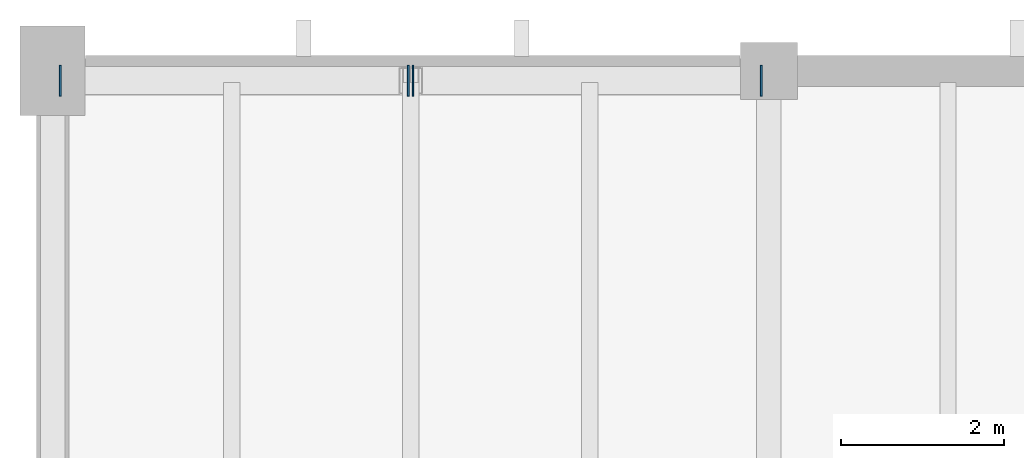
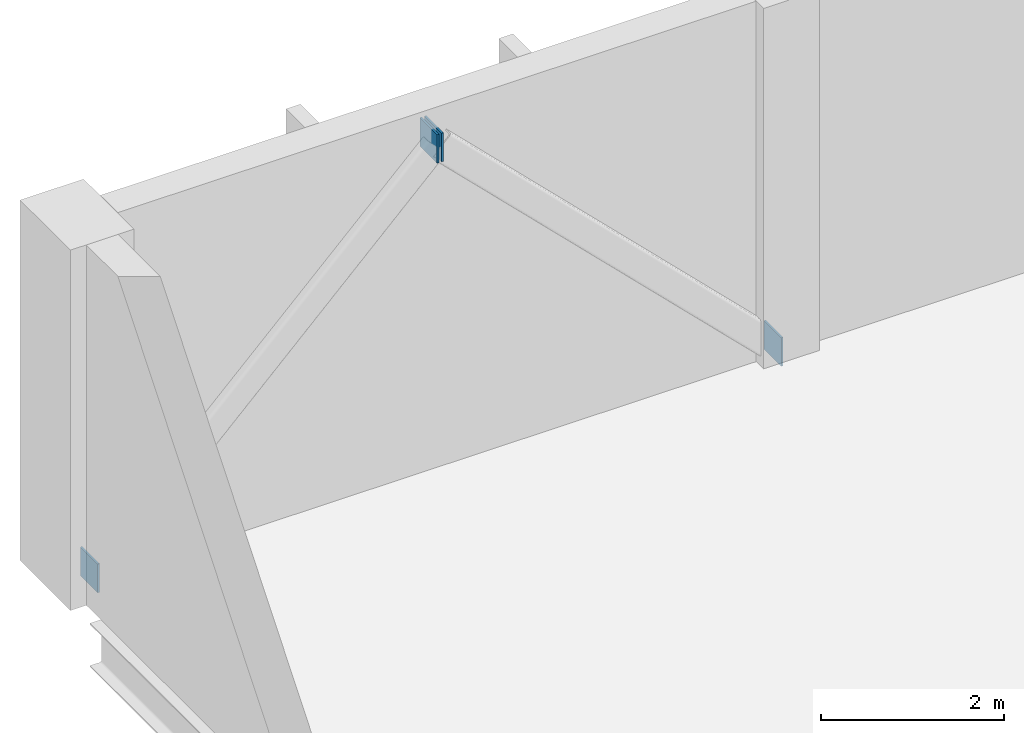
# One storey, part 9 of 14: 4 plates.
"""IFC4 building model written with IfcOpenShell, lengths in metres."""

import ifcopenshell
import ifcopenshell.guid

model = None  # the IFC model being written
_history = None  # IfcOwnerHistory: only IFC2X3 demands one
_inside = {}  # id of a spatial element -> (the spatial element, [elements in it])
_under = {}  # id of a project, library or spatial element -> (it, [spatial elements below it])
_declared = {}  # id of a project -> (the project, [libraries it declares])
_typed = {}  # id of a type object -> (the type object, [elements of that type])
_made_of = {}  # id of a material, layer set ... -> (it, [elements and type objects made of it])


def new_model(schema):
    """Start an empty IFC model of exactly this schema.

    Asked for "IFC4X3", IfcOpenShell would pick the latest addendum, in which some entities
    have other attributes; the version numbers below select the first issue.
    IFC2X3 requires an IfcOwnerHistory on every rooted entity: one is made here for all.
    """
    global model, _history
    if schema == "IFC4X3":
        model = ifcopenshell.file(schema_version=(4, 3, 0, 0))
    else:
        model = ifcopenshell.file(schema=schema)
    _inside.clear()
    _under.clear()
    _declared.clear()
    _typed.clear()
    _made_of.clear()
    _history = None
    if model.schema == "IFC2X3":
        org = make("IfcOrganization", Name="unknown")
        user = make(
            "IfcPersonAndOrganization",
            ThePerson=make("IfcPerson", FamilyName="unknown"),
            TheOrganization=org,
        )
        app = make(
            "IfcApplication",
            ApplicationDeveloper=org,
            Version="unknown",
            ApplicationFullName="unknown",
            ApplicationIdentifier="unknown",
        )
        _history = make(
            "IfcOwnerHistory",
            OwningUser=user,
            OwningApplication=app,
            ChangeAction="ADDED",
            CreationDate=0,
        )
    return model


def make(cls, **values):
    """One entity of the class cls with the attributes given. An attribute that is None is left unset."""
    return model.create_entity(
        cls, **{name: value for name, value in values.items() if value is not None}
    )


def rooted(cls, **values):
    """An entity with a GlobalId (a new one), such as an element, a storey or a relation."""
    return make(cls, GlobalId=ifcopenshell.guid.new(), OwnerHistory=_history, **values)


def si_unit(unit_type, name, prefix=None):
    """IfcSIUnit, for example si_unit("LENGTHUNIT", "METRE", prefix="MILLI")."""
    return make("IfcSIUnit", UnitType=unit_type, Prefix=prefix, Name=name)


def assignment(units):
    """IfcUnitAssignment: the units of a project."""
    return None if units is None else make("IfcUnitAssignment", Units=units)


def point(xyz):
    """IfcCartesianPoint."""
    return None if xyz is None else make("IfcCartesianPoint", Coordinates=xyz)


def direction(xyz):
    """IfcDirection."""
    return None if xyz is None else make("IfcDirection", DirectionRatios=xyz)


def frame(location, z_axis=None, x_axis=None):
    """IfcAxis2Placement3D, a coordinate frame: its origin and axes. An axis left out is left unset."""
    return make(
        "IfcAxis2Placement3D",
        Location=point(location),
        Axis=direction(z_axis),
        RefDirection=direction(x_axis),
    )


def frame_2d(location, x_axis=None):
    """IfcAxis2Placement2D, a coordinate frame in the plane: its origin and x axis."""
    return make(
        "IfcAxis2Placement2D", Location=point(location), RefDirection=direction(x_axis)
    )


def origin():
    """The frame at (0, 0, 0) with its axes left unset."""
    return frame((0.0, 0.0, 0.0))


def origin_2d():
    """The frame at (0, 0) in the plane with its x axis left unset."""
    return frame_2d((0.0, 0.0))


def place(relative_to, where):
    """IfcLocalPlacement: puts the frame where relative to a parent placement (None: the world)."""
    return make(
        "IfcLocalPlacement", PlacementRelTo=relative_to, RelativePlacement=where
    )


def context(
    kind, dimensions, precision=None, world=None, true_north=None, identifier=None
):
    """IfcGeometricRepresentationContext, for example the 3D "Model" context."""
    return make(
        "IfcGeometricRepresentationContext",
        ContextIdentifier=identifier,
        ContextType=kind,
        CoordinateSpaceDimension=dimensions,
        Precision=precision,
        WorldCoordinateSystem=world,
        TrueNorth=true_north,
    )


def subcontext(parent, identifier, kind, view, scale=None):
    """IfcGeometricRepresentationSubContext, for example "Body" below "Model"."""
    return make(
        "IfcGeometricRepresentationSubContext",
        ContextIdentifier=identifier,
        ContextType=kind,
        ParentContext=parent,
        TargetScale=scale,
        TargetView=view,
    )


def project(units=None, contexts=None):
    """IfcProject with its units and contexts."""
    return rooted(
        "IfcProject",
        Name="project",
        RepresentationContexts=contexts,
        UnitsInContext=assignment(units),
    )


def spatial(cls, under=None, at=None, **own):
    """A site, building, storey or space (cls), placed at a placement, below another one or the project."""
    s = rooted(cls, ObjectPlacement=at, **own)
    if under is not None:
        _under.setdefault(under.id(), (under, []))[1].append(s)
    return s


def profile(cls, at=None, kind="AREA", **sizes):
    """A parametric profile (cls). Its sizes go by their IFC names, for example OverallWidth=200.0."""
    return make(cls, ProfileType=kind, Position=at, **sizes)


def rectangle(**sizes):
    """IfcRectangleProfileDef."""
    return profile("IfcRectangleProfileDef", **sizes)


def extrude(swept, where, along, depth):
    """IfcExtrudedAreaSolid: the profile swept, set in the frame where, extruded along a direction by depth."""
    return make(
        "IfcExtrudedAreaSolid",
        SweptArea=swept,
        Position=where,
        ExtrudedDirection=direction(along),
        Depth=depth,
    )


def shape(context_of_items, identifier, shape_type, items):
    """IfcShapeRepresentation: the items that make up one representation, for example the "Body"."""
    return make(
        "IfcShapeRepresentation",
        ContextOfItems=context_of_items,
        RepresentationIdentifier=identifier,
        RepresentationType=shape_type,
        Items=items,
    )


def material(Name=None, Category=None):
    """IfcMaterial."""
    return make("IfcMaterial", Name=Name, Category=Category)


def layer(
    of_material, thickness, ventilated=None, Name=None, Category=None, Priority=None
):
    """IfcMaterialLayer: one layer of a wall or slab, of a material (None: an air gap)."""
    return make(
        "IfcMaterialLayer",
        Material=of_material,
        LayerThickness=thickness,
        IsVentilated=ventilated,
        Name=Name,
        Category=Category,
        Priority=Priority,
    )


def layer_set(layers, Name=None):
    """IfcMaterialLayerSet."""
    return make("IfcMaterialLayerSet", MaterialLayers=layers, LayerSetName=Name)


def made_of(thing, what):
    """Note that an element or type object is made of a material, layer set ...; save() writes the relation."""
    if what is not None:
        _made_of.setdefault(what.id(), (what, []))[1].append(thing)
    return thing


def type_object(cls, material=None, **own):
    """A type object (cls), such as IfcWallType, which elements share."""
    return made_of(rooted(cls, **own), material)


def element(
    cls,
    number,
    at=None,
    inside=None,
    cuts=None,
    type_object=None,
    material=None,
    context=None,
    identifier="Body",
    shape_type=None,
    held_by="IfcProductDefinitionShape",
    body=None,
    shapes=None,
    **own,
):
    """One element of the class cls, such as IfcWall. Its Tag is "e" and its number.

    at: its placement. inside: the storey or other place that contains it. cuts: it is an
    opening in that element (IfcRelVoidsElement). A single representation is given by context,
    identifier, shape_type and body (its items); several are given by shapes. held_by: the class
    of the entity that holds the representations. save() writes the other relations.
    """
    e = rooted(cls, Tag="e%d" % number, ObjectPlacement=at, **own)
    if body is not None:
        shapes = [shape(context, identifier, shape_type, body)]
    if shapes is not None:
        e.Representation = make(held_by, Representations=shapes)
    if inside is not None:
        _inside.setdefault(inside.id(), (inside, []))[1].append(e)
    if cuts is not None:
        rooted(
            "IfcRelVoidsElement", RelatingBuildingElement=cuts, RelatedOpeningElement=e
        )
    if type_object is not None:
        _typed.setdefault(type_object.id(), (type_object, []))[1].append(e)
    return made_of(e, material)


def aggregate(whole, parts):
    """IfcRelAggregates: a whole, such as a stair, and the parts it consists of."""
    return rooted("IfcRelAggregates", RelatingObject=whole, RelatedObjects=parts)


def save(model, path):
    """Write the relations noted so far, then the file.

    IfcRelAggregates (storeys below a building ...), IfcRelContainedInSpatialStructure (elements
    in a storey), IfcRelDefinesByType, IfcRelAssociatesMaterial and IfcRelDeclares: one each for
    every whole, place, type object, material and project.
    """
    for whole, parts in _under.values():
        aggregate(whole, parts)
    for where, things in _inside.values():
        rooted(
            "IfcRelContainedInSpatialStructure",
            RelatedElements=things,
            RelatingStructure=where,
        )
    for kind, things in _typed.values():
        rooted("IfcRelDefinesByType", RelatedObjects=things, RelatingType=kind)
    for what, things in _made_of.values():
        rooted("IfcRelAssociatesMaterial", RelatedObjects=things, RelatingMaterial=what)
    for by, libraries in _declared.values():
        rooted("IfcRelDeclares", RelatingContext=by, RelatedDefinitions=libraries)
    model.write(path)


model = new_model("IFC4")

# Units and contexts
model_context = context("Model", 3, precision=1e-05, world=origin(), true_north=direction((0.0, 1.0)))
body_context = subcontext(model_context, "Body", "Model", "MODEL_VIEW")
ifc_project = project(units=[si_unit("LENGTHUNIT", "METRE"), si_unit("AREAUNIT", "SQUARE_METRE"), si_unit("VOLUMEUNIT", "CUBIC_METRE"), si_unit("PLANEANGLEUNIT", "RADIAN"), si_unit("MASSUNIT", "GRAM", prefix="KILO")], contexts=[model_context])

# Site, building, storey
site_placement = place(None, origin())
site = spatial("IfcSite", under=ifc_project, at=site_placement, CompositionType="ELEMENT")
building_placement = place(site_placement, origin())
building = spatial("IfcBuilding", under=site, at=building_placement, Name="Shengluoqiao Park Theatre", CompositionType="ELEMENT")
storey_placement = place(building_placement, frame((0.0, 0.0, 23.800048828125)))
storey = spatial("IfcBuildingStorey", under=building, at=storey_placement, Name="L05", CompositionType="ELEMENT", Elevation=23.800048828125)

# Plates
ifc_material = material(Name="Steel Q390", Category="steel")
ifc_layer = layer(ifc_material, 0.02392578125, Name="Steel Q390")
ifc_layer_set = layer_set([ifc_layer], Name="Steel Q390")
plate_type = type_object("IfcPlateType", Name="STR-PLT-EC-360", PredefinedType="SHEET", material=ifc_layer_set)
for number, where, z_axis, x_axis, name in (
    (1, (86.494384765625, 113.8798828125, -0.077392578125), (0.0, 0.0, 1.0), (1.0, 0.0, 0.0), "Hollow Tube End Cap Plate 00140"),
    (2, (90.771484375, 113.8798828125, 4.143798828125), (0.0, 0.0, 1.0), (1.0, 0.0, 0.0), "Hollow Tube End Cap Plate 00141"),
    (3, (95.105712890625, 113.8798828125, -0.077392578125), (0.0, 0.0, 1.0), (-1.0, 0.0, 0.0), "Hollow Tube End Cap Plate 00142"),
    (4, (90.828369140625, 113.8798828125, 4.143798828125), (0.0, 0.0, 1.0), (-1.0, 0.0, 0.0), "Hollow Tube End Cap Plate 00143"),
):
    element("IfcPlate", number, at=place(storey_placement, frame(where, z_axis=z_axis, x_axis=x_axis)), inside=storey, type_object=plate_type, Name=name, PredefinedType="SHEET", context=body_context, shape_type="SweptSolid", body=[
        extrude(rectangle(XDim=0.02392578125, YDim=0.3798828125, at=origin_2d()), origin(), (0.0, 0.0, 1.0), 0.3798828125),
    ])

save(model, "model.ifc")
